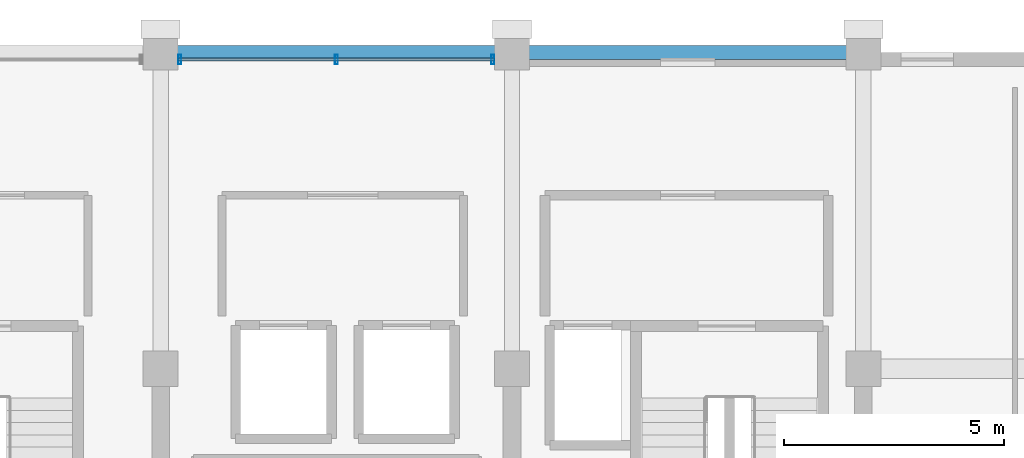
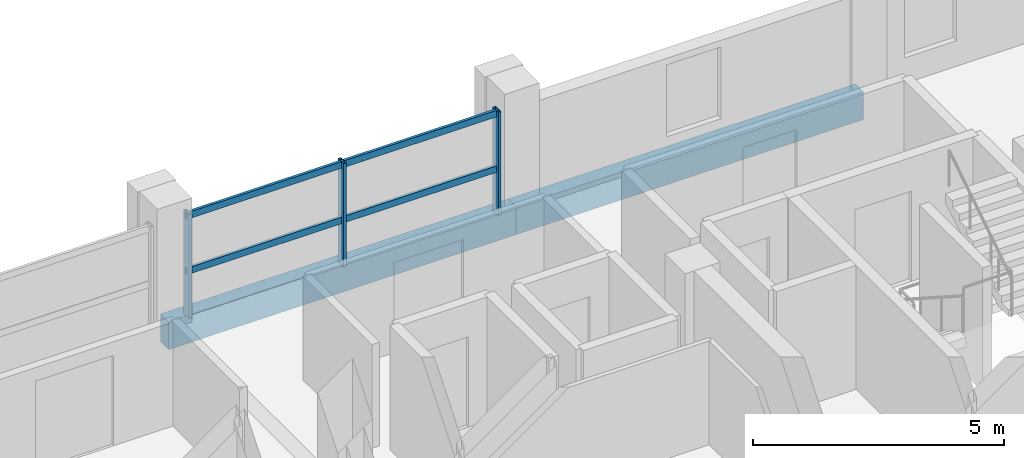
# One storey, part 17 of 23: 5 members, 2 beams, 1 element without a shape of its own.
"""IFC4 building model written with IfcOpenShell, lengths in metres."""

from ifc_helpers import new_model, si_unit, direction, frame, origin, origin_2d, place, context, subcontext, project, spatial, rectangle, hollow_rectangle, extrude, material, material_profile, profile_set, type_object, element, aggregate, save


model = new_model("IFC4")

# Units and contexts
model_context = context("Model", 3, precision=1e-05, world=origin(), true_north=direction((0.0, 1.0)))
body_context = subcontext(model_context, "Body", "Model", "MODEL_VIEW")
ifc_project = project(units=[si_unit("LENGTHUNIT", "METRE"), si_unit("AREAUNIT", "SQUARE_METRE"), si_unit("VOLUMEUNIT", "CUBIC_METRE"), si_unit("PLANEANGLEUNIT", "RADIAN"), si_unit("MASSUNIT", "GRAM", prefix="KILO")], contexts=[model_context])

# Site, building, storey
site_placement = place(None, origin())
site = spatial("IfcSite", under=ifc_project, at=site_placement, CompositionType="ELEMENT")
building_placement = place(site_placement, origin())
building = spatial("IfcBuilding", under=site, at=building_placement, Name="Akrevak Sports Hall", CompositionType="ELEMENT")
storey_placement = place(building_placement, frame((0.0, 0.0, 47.050048828125)))
storey = spatial("IfcBuildingStorey", under=building, at=storey_placement, Name="L11", CompositionType="ELEMENT", Elevation=47.050048828125)

# Curtain wall, members
ifc_material_1 = material(Name="Anodized Bronze Aluminium & Low-E Glass", Category="aluminium")
curtain_wall_type = type_object("IfcCurtainWallType", Name="ARC-CW-TWR-56x30", PredefinedType="NOTDEFINED", material=ifc_material_1)
curtain_wall_placement = place(storey_placement, origin())
curtain_wall = element("IfcCurtainWall", 1, at=curtain_wall_placement, inside=storey, type_object=curtain_wall_type, Name="Curtain Wall CW-L11-N21", PredefinedType="NOTDEFINED")
ifc_material_2 = material(Name="Anodized Bronze Aluminium", Category="aluminium")
ifc_material_profile_1 = material_profile(ifc_material_2, hollow_rectangle(XDim=0.06494140625, YDim=0.219970703125, WallThickness=0.00439453125, at=origin_2d()), Name="CWM 65x220", Category="aluminium")
ifc_profile_set_1 = profile_set([ifc_material_profile_1], Name="Anodized Bronze Aluminium")
member_type_1 = type_object("IfcMemberType", Name="ARC-CWM-70x160", PredefinedType="MULLION", material=ifc_profile_set_1)
member_1_placement = place(storey_placement, frame((91.56005859375, 69.43994140625, 0.0), z_axis=(0.0, 0.0, 1.0), x_axis=(-1.0, 0.0, 0.0)))
member_1 = element("IfcMember", 2, at=member_1_placement, type_object=member_type_1, Name="Curtain Wall Mullion CW-L11-N21-M1", PredefinedType="MULLION", context=body_context, shape_type="SweptSolid", body=[
    extrude(hollow_rectangle(XDim=0.06494140625, YDim=0.219970703125, WallThickness=0.00439453125, at=origin_2d()), origin(), (0.0, 0.0, 1.0), 2.530029296875),
])
member_2_placement = place(storey_placement, frame((88.0, 69.43994140625, 0.0), z_axis=(0.0, 0.0, 1.0), x_axis=(-1.0, 0.0, 0.0)))
member_2 = element("IfcMember", 3, at=member_2_placement, type_object=member_type_1, Name="Curtain Wall Mullion CW-L11-N21-M2", PredefinedType="MULLION", context=body_context, shape_type="SweptSolid", body=[
    extrude(hollow_rectangle(XDim=0.06494140625, YDim=0.219970703125, WallThickness=0.00439453125, at=origin_2d()), origin(), (0.0, 0.0, 1.0), 2.530029296875),
])
member_3_placement = place(storey_placement, frame((84.43994140625, 69.43994140625, 0.0), z_axis=(0.0, 0.0, 1.0), x_axis=(-1.0, 0.0, 0.0)))
member_3 = element("IfcMember", 4, at=member_3_placement, type_object=member_type_1, Name="Curtain Wall Mullion CW-L11-N21-M3", PredefinedType="MULLION", context=body_context, shape_type="SweptSolid", body=[
    extrude(hollow_rectangle(XDim=0.06494140625, YDim=0.219970703125, WallThickness=0.00439453125, at=origin_2d()), origin(), (0.0, 0.0, 1.0), 2.530029296875),
])
ifc_material_profile_2 = material_profile(ifc_material_2, hollow_rectangle(XDim=0.06494140625, YDim=0.159912109375, WallThickness=0.00390625, at=origin_2d()), Name="CWT 65x160", Category="aluminium")
ifc_profile_set_2 = profile_set([ifc_material_profile_2], Name="Anodized Bronze Aluminium")
member_type_2 = type_object("IfcMemberType", Name="ARC-CWT-70x130", PredefinedType="USERDEFINED", material=ifc_profile_set_2)
member_4_placement = place(storey_placement, frame((91.60009765625, 69.43994140625, 1.099853515625), z_axis=(-1.0, 0.0, 0.0), x_axis=(0.0, -1.0, 0.0)))
member_4 = element("IfcMember", 5, at=member_4_placement, type_object=member_type_2, Name="Curtain Wall Transom CW-L11-N21-T1", ObjectType="TRANSOM", PredefinedType="USERDEFINED", context=body_context, shape_type="SweptSolid", body=[
    extrude(hollow_rectangle(XDim=0.06494140625, YDim=0.159912109375, WallThickness=0.00390625, at=origin_2d()), origin(), (0.0, 0.0, 1.0), 7.2001953125),
])
member_5_placement = place(storey_placement, frame((91.60009765625, 69.43994140625, 2.449951171875), z_axis=(-1.0, 0.0, 0.0), x_axis=(0.0, -1.0, 0.0)))
member_5 = element("IfcMember", 6, at=member_5_placement, type_object=member_type_2, Name="Curtain Wall Transom CW-L11-N21-T2", ObjectType="TRANSOM", PredefinedType="USERDEFINED", context=body_context, shape_type="SweptSolid", body=[
    extrude(hollow_rectangle(XDim=0.06494140625, YDim=0.159912109375, WallThickness=0.00390625, at=origin_2d()), origin(), (0.0, 0.0, 1.0), 7.2001953125),
])
aggregate(curtain_wall, [member_1, member_2, member_3, member_4, member_5])

# Beams
ifc_material_3 = material(Name="Concrete C40/50", Category="concrete")
ifc_material_profile_3 = material_profile(ifc_material_3, rectangle(XDim=0.320068359375, YDim=0.679931640625, at=origin_2d()), Name="SPD 320x680", Category="concrete")
ifc_profile_set_3 = profile_set([ifc_material_profile_3], Name="Concrete C40/50")
beam_type = type_object("IfcBeamType", Name="STR-SPD-RC320x680", PredefinedType="SPANDREL", material=ifc_profile_set_3)
for number, where, z_axis, x_axis, name in (
    (7, (84.0, 69.60009765625, -0.340087890625), (1.0, 0.0, 0.0), (0.0, 1.0, 0.0), "Girder K/12-13 (L11)"),
    (8, (92.0, 69.60009765625, -0.340087890625), (1.0, 0.0, 0.0), (0.0, 1.0, 0.0), "Girder K/13-14 (L11)"),
):
    element("IfcBeam", number, at=place(storey_placement, frame(where, z_axis=z_axis, x_axis=x_axis)), inside=storey, type_object=beam_type, Name=name, PredefinedType="SPANDREL", context=body_context, shape_type="SweptSolid", body=[
        extrude(rectangle(XDim=0.320068359375, YDim=0.679931640625, at=origin_2d()), origin(), (0.0, 0.0, 1.0), 8.0),
    ])

save(model, "model.ifc")
